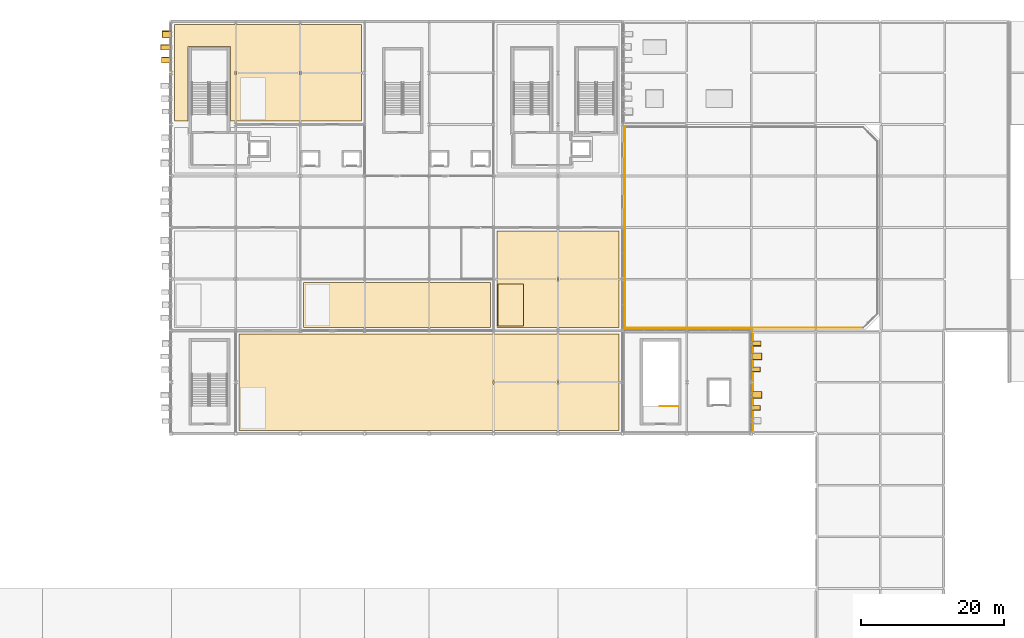
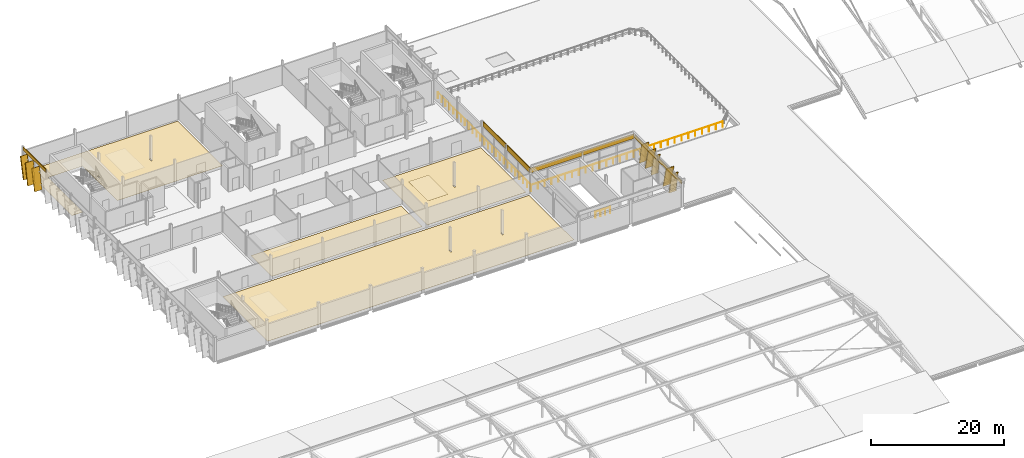
# One storey, part 75 of 78: 20 coverings, 8 shading devices, 3 railings.
"""IFC4 building model written with IfcOpenShell, lengths in metres."""

from ifc_helpers import new_model, si_unit, direction, frame, origin, origin_2d, place, context, subcontext, project, spatial, polyline, rectangle, circle, outline, extrude, material, layer, layer_set, material_profile, profile_set, type_object, element, save


model = new_model("IFC4")

# Units and contexts
model_context = context("Model", 3, precision=1e-05, world=origin(), true_north=direction((0.0, 1.0)))
body_context = subcontext(model_context, "Body", "Model", "MODEL_VIEW")
ifc_project = project(units=[si_unit("LENGTHUNIT", "METRE"), si_unit("AREAUNIT", "SQUARE_METRE"), si_unit("VOLUMEUNIT", "CUBIC_METRE"), si_unit("PLANEANGLEUNIT", "RADIAN"), si_unit("MASSUNIT", "GRAM", prefix="KILO")], contexts=[model_context])

# Site, building, storey
site_placement = place(None, origin())
site = spatial("IfcSite", under=ifc_project, at=site_placement, CompositionType="ELEMENT")
building_placement = place(site_placement, origin())
building = spatial("IfcBuilding", under=site, at=building_placement, Name="Celestram Park Convention Centre", CompositionType="ELEMENT")
storey_placement = place(building_placement, frame((0.0, 0.0, 19.800048828125)))
storey = spatial("IfcBuildingStorey", under=building, at=storey_placement, Name="L04", CompositionType="ELEMENT", Elevation=19.800048828125)

# Coverings
ifc_material_1 = material(Name="Anodised Bronze Aluminium Spandrel Cladding", Category="aluminium")
ifc_layer_1 = layer(ifc_material_1, 0.050048828125)
ifc_layer_set_1 = layer_set([ifc_layer_1], Name="Anodised Bronze Aluminium Spandrel Cladding")
covering_type_1 = type_object("IfcCoveringType", Name="ARC-COV-CLD060", PredefinedType="CLADDING", material=ifc_layer_set_1)
covering_1_placement = place(storey_placement, frame((117.080078125, 118.800048828125, 3.923828125), z_axis=(0.0, 0.0, 1.0), x_axis=(0.0, -1.0, 0.0)))
element("IfcCovering", 1, at=covering_1_placement, inside=storey, type_object=covering_type_1, Name="Bronze spandrel cladding CL-L04-227", PredefinedType="CLADDING", context=body_context, shape_type="SweptSolid", body=[
    extrude(rectangle(XDim=6.847900390625, YDim=0.1201171875, at=origin_2d()), origin(), (0.0, 0.0, 1.0), 0.575927734375),
])
covering_2_placement = place(storey_placement, frame((117.080078125, 111.60009765625, 3.923828125), z_axis=(0.0, 0.0, 1.0), x_axis=(0.0, -1.0, 0.0)))
element("IfcCovering", 2, at=covering_2_placement, inside=storey, type_object=covering_type_1, Name="Bronze spandrel cladding CL-L04-228", PredefinedType="CLADDING", context=body_context, shape_type="SweptSolid", body=[
    extrude(rectangle(XDim=6.825927734375, YDim=0.1201171875, at=origin_2d()), origin(), (0.0, 0.0, 1.0), 0.575927734375),
])
covering_3_placement = place(storey_placement, frame((35.919921875, 162.0, 3.923828125), z_axis=(0.0, 0.0, 1.0), x_axis=(0.0, 1.0, 0.0)))
element("IfcCovering", 3, at=covering_3_placement, inside=storey, type_object=covering_type_1, Name="Bronze spandrel cladding CL-L04-236", PredefinedType="CLADDING", context=body_context, shape_type="SweptSolid", body=[
    extrude(rectangle(XDim=6.8310546875, YDim=0.1201171875, at=origin_2d()), origin(), (0.0, 0.0, 1.0), 0.575927734375),
])
for number, where, z_axis, x_axis, name in (
    (4, (99.080078125, 133.199951171875, 3.60791015625), (0.0, 0.0, 1.0), (0.0, -1.0, 0.0), "Bronze spandrel cladding CL-L04-239"),
    (5, (99.080078125, 126.0, 3.60791015625), (0.0, 0.0, 1.0), (0.0, -1.0, 0.0), "Bronze spandrel cladding CL-L04-240"),
):
    element("IfcCovering", number, at=place(storey_placement, frame(where, z_axis=z_axis, x_axis=x_axis)), inside=storey, type_object=covering_type_1, Name=name, PredefinedType="CLADDING", context=body_context, shape_type="SweptSolid", body=[
        extrude(rectangle(XDim=6.847900390625, YDim=0.1201171875, at=origin_2d()), origin(), (0.0, 0.0, 1.0), 0.89208984375),
    ])
covering_4_placement = place(storey_placement, frame((103.5, 122.47998046875, 3.60791015625), z_axis=(0.0, 0.0, 1.0), x_axis=(1.0, 0.0, 0.0)))
element("IfcCovering", 6, at=covering_4_placement, inside=storey, type_object=covering_type_1, Name="Bronze spandrel cladding CL-L04-241", PredefinedType="CLADDING", context=body_context, shape_type="SweptSolid", body=[
    extrude(rectangle(XDim=8.989990234375, YDim=0.1201171875, at=origin_2d()), origin(), (0.0, 0.0, 1.0), 0.89208984375),
])
covering_5_placement = place(storey_placement, frame((112.5, 122.47998046875, 3.66796875), z_axis=(0.0, 0.0, 1.0), x_axis=(1.0, 0.0, 0.0)))
element("IfcCovering", 7, at=covering_5_placement, inside=storey, type_object=covering_type_1, Name="Bronze spandrel cladding CL-L04-242", PredefinedType="CLADDING", context=body_context, shape_type="SweptSolid", body=[
    extrude(rectangle(XDim=8.989990234375, YDim=0.1201171875, at=origin_2d()), origin(), (0.0, 0.0, 1.0), 0.83203125),
])
ifc_material_2 = material(Name="Perforated Acoustic Mineral-Fibre Baffle Ceiling", Category="gypsum")
ifc_layer_2 = layer(ifc_material_2, 0.0400390625)
ifc_layer_set_2 = layer_set([ifc_layer_2], Name="Perforated Acoustic Mineral-Fibre Baffle Ceiling")
covering_type_2 = type_object("IfcCoveringType", Name="ARC-COV-CLG040", PredefinedType="CEILING", material=ifc_layer_set_2)
covering_6_placement = place(storey_placement, frame((0.0, 0.0, 4.159912109375)))
element("IfcCovering", 8, at=covering_6_placement, inside=storey, type_object=covering_type_2, Name="Executive Conference Room 402 acoustic baffle ceiling", PredefinedType="CEILING", context=body_context, shape_type="SweptSolid", body=[
    extrude(outline(polyline([(81.64990234375, 123.050048828125), (85.14990234375, 123.050048828125), (85.14990234375, 128.949951171875), (81.64990234375, 128.949951171875), (81.64990234375, 123.050048828125)])), origin(), (0.0, 0.0, 1.0), 0.0400390625),
])
ifc_material_3 = material(Name="Timber-Toned Anodised Aluminium Alloy 6063-T6", Category="wood")
ifc_material_profile_1 = material_profile(ifc_material_3, rectangle(XDim=1.1201171875, YDim=0.090087890625, at=origin_2d()), Name="REED1120X90")
ifc_profile_set_1 = profile_set([ifc_material_profile_1], Name="Timber-Toned Anodised Aluminium Alloy 6063-T6")
covering_type_3 = type_object("IfcCoveringType", Name="ARC-COV-FIN1120", PredefinedType="CLADDING", material=ifc_profile_set_1)
for number, where, z_axis, x_axis, name in (
    (9, (117.639892578125, 117.311279296875, 0.030029296875), (0.0, -0.159873029239, 0.987137586419), (1.0, 0.0, 0.0), "Leaning timber-toned reed fin RFN-L04-0725"),
    (10, (117.639892578125, 111.92236328125, 0.030029296875), (0.0, -0.159873029239, 0.987137586419), (1.0, 0.0, 0.0), "Leaning timber-toned reed fin RFN-L04-0727"),
    (11, (35.360107421875, 163.348876953125, 0.057861328125), (0.0, 0.231722237908, 0.972781992257), (-1.0, 0.0, 0.0), "Leaning timber-toned reed fin RFN-L04-0752"),
):
    element("IfcCovering", number, at=place(storey_placement, frame(where, z_axis=z_axis, x_axis=x_axis)), inside=storey, type_object=covering_type_3, Name=name, PredefinedType="CLADDING", context=body_context, shape_type="SweptSolid", body=[
        extrude(rectangle(XDim=1.1201171875, YDim=0.090087890625, at=origin_2d()), origin(), (0.0, 0.0, 1.0), 3.89404296875),
    ])
ifc_material_profile_2 = material_profile(ifc_material_3, rectangle(XDim=1.280029296875, YDim=0.090087890625, at=origin_2d()), Name="REED1280X90")
ifc_profile_set_2 = profile_set([ifc_material_profile_2], Name="Timber-Toned Anodised Aluminium Alloy 6063-T6")
covering_type_4 = type_object("IfcCoveringType", Name="ARC-COV-FIN1280", PredefinedType="CLADDING", material=ifc_profile_set_2)
covering_7_placement = place(storey_placement, frame((117.719970703125, 120.931396484375, 0.033447265625), z_axis=(0.0, -0.170221839846, 0.985405766798), x_axis=(1.0, 0.0, 0.0)))
element("IfcCovering", 12, at=covering_7_placement, inside=storey, type_object=covering_type_4, Name="Leaning timber-toned reed fin RFN-L04-0723", PredefinedType="CLADDING", context=body_context, shape_type="SweptSolid", body=[
    extrude(rectangle(XDim=1.280029296875, YDim=0.090087890625, at=origin_2d()), origin(), (0.0, 0.0, 1.0), 3.89404296875),
])
covering_8_placement = place(storey_placement, frame((35.280029296875, 159.7919921875, 0.04833984375), z_axis=(0.0, 0.209601879855, 0.977786813145), x_axis=(-1.0, 0.0, 0.0)))
element("IfcCovering", 13, at=covering_8_placement, inside=storey, type_object=covering_type_4, Name="Leaning timber-toned reed fin RFN-L04-0750", PredefinedType="CLADDING", context=body_context, shape_type="SweptSolid", body=[
    extrude(rectangle(XDim=1.280029296875, YDim=0.090087890625, at=origin_2d()), origin(), (0.0, 0.0, 1.0), 3.893798828125),
])
ifc_material_profile_3 = material_profile(ifc_material_3, rectangle(XDim=1.419921875, YDim=0.090087890625, at=origin_2d()), Name="REED1420X90")
ifc_profile_set_3 = profile_set([ifc_material_profile_3], Name="Timber-Toned Anodised Aluminium Alloy 6063-T6")
covering_type_5 = type_object("IfcCoveringType", Name="ARC-COV-FIN1420", PredefinedType="CLADDING", material=ifc_profile_set_3)
for number, where, z_axis, x_axis, name in (
    (14, (117.7900390625, 119.264404296875, 0.06103515625), (0.0, -0.238491540505, 0.971144574771), (1.0, 0.0, 0.0), "Leaning timber-toned reed fin RFN-L04-0724"),
    (15, (117.7900390625, 113.87548828125, 0.06103515625), (0.0, -0.23855066814, 0.971130052429), (1.0, 0.0, 0.0), "Leaning timber-toned reed fin RFN-L04-0726"),
    (16, (35.2099609375, 161.6484375, 0.036865234375), (0.0, 0.180562402366, 0.983563530664), (-1.0, 0.0, 0.0), "Leaning timber-toned reed fin RFN-L04-0751"),
):
    element("IfcCovering", number, at=place(storey_placement, frame(where, z_axis=z_axis, x_axis=x_axis)), inside=storey, type_object=covering_type_5, Name=name, PredefinedType="CLADDING", context=body_context, shape_type="SweptSolid", body=[
        extrude(rectangle(XDim=1.419921875, YDim=0.090087890625, at=origin_2d()), origin(), (0.0, 0.0, 1.0), 3.89404296875),
    ])
ifc_material_4 = material(Name="Polished Lakefront Aggregate Terrazzo Flooring", Category="concrete")
ifc_layer_3 = layer(ifc_material_4, 0.02001953125)
ifc_layer_set_3 = layer_set([ifc_layer_3], Name="Polished Lakefront Aggregate Terrazzo Flooring")
covering_type_6 = type_object("IfcCoveringType", Name="ARC-COV-FLR020", PredefinedType="FLOORING", material=ifc_layer_set_3)
covering_9_placement = place(storey_placement, origin())
element("IfcCovering", 17, at=covering_9_placement, inside=storey, type_object=covering_type_6, Name="Summit VIP Briefing Room terrazzo flooring", PredefinedType="FLOORING", context=body_context, shape_type="SweptSolid", body=[
    extrude(outline(polyline([(98.550048828125, 121.949951171875), (98.550048828125, 108.449951171875), (45.449951171875, 108.449951171875), (45.449951171875, 121.949951171875), (98.550048828125, 121.949951171875)]), holes=[polyline([(80.9150390625, 114.944091796875), (81.0849609375, 114.944091796875), (81.0849609375, 115.4560546875), (80.9150390625, 115.4560546875), (80.9150390625, 114.944091796875)]), polyline([(89.9150390625, 114.944091796875), (90.0849609375, 114.944091796875), (90.0849609375, 115.4560546875), (89.9150390625, 115.4560546875), (89.9150390625, 114.944091796875)])]), origin(), (0.0, 0.0, 1.0), 0.02001953125),
])
covering_10_placement = place(storey_placement, origin())
element("IfcCovering", 18, at=covering_10_placement, inside=storey, type_object=covering_type_6, Name="Concourse Delegate Lounge L04 terrazzo flooring", PredefinedType="FLOORING", context=body_context, shape_type="SweptSolid", body=[
    extrude(outline(polyline([(80.550048828125, 129.14990234375), (80.550048828125, 122.85009765625), (54.449951171875, 122.85009765625), (54.449951171875, 129.14990234375), (80.550048828125, 129.14990234375)])), origin(), (0.0, 0.0, 1.0), 0.02001953125),
])
covering_11_placement = place(storey_placement, origin())
element("IfcCovering", 19, at=covering_11_placement, inside=storey, type_object=covering_type_6, Name="Executive Conference Room 402 terrazzo flooring", PredefinedType="FLOORING", context=body_context, shape_type="SweptSolid", body=[
    extrude(outline(polyline([(98.550048828125, 136.35009765625), (98.550048828125, 122.85009765625), (81.449951171875, 122.85009765625), (81.449951171875, 136.35009765625), (98.550048828125, 136.35009765625)]), holes=[polyline([(89.9150390625, 129.85595703125), (89.9150390625, 129.343994140625), (90.0849609375, 129.343994140625), (90.0849609375, 129.85595703125), (89.9150390625, 129.85595703125)])]), origin(), (0.0, 0.0, 1.0), 0.02001953125),
])
covering_12_placement = place(storey_placement, origin())
element("IfcCovering", 20, at=covering_12_placement, inside=storey, type_object=covering_type_6, Name="Show Administration Office West terrazzo flooring", PredefinedType="FLOORING", context=body_context, shape_type="SweptSolid", body=[
    extrude(outline(polyline([(62.550048828125, 165.14990234375), (62.550048828125, 151.64990234375), (44.300048828125, 151.64990234375), (44.300048828125, 162.10009765625), (38.340087890625, 162.10009765625), (38.340087890625, 151.64990234375), (36.449951171875, 151.64990234375), (36.449951171875, 165.14990234375), (62.550048828125, 165.14990234375)]), holes=[polyline([(44.913818359375, 158.135498046875), (45.086181640625, 158.135498046875), (45.086181640625, 158.66455078125), (44.913818359375, 158.66455078125), (44.913818359375, 158.135498046875)]), polyline([(53.913818359375, 158.135498046875), (54.086181640625, 158.135498046875), (54.086181640625, 158.66455078125), (53.913818359375, 158.66455078125), (53.913818359375, 158.135498046875)])]), origin(), (0.0, 0.0, 1.0), 0.02001953125),
])

# Shading devices
ifc_material_5 = material(Name="Anodised Bronze Aluminium Alloy 6063-T6", Category="aluminium")
ifc_material_profile_4 = material_profile(ifc_material_5, rectangle(XDim=1.280029296875, YDim=0.080078125, at=origin_2d()), Name="FIN1280X80")
ifc_profile_set_4 = profile_set([ifc_material_profile_4], Name="Anodised Bronze Aluminium Alloy 6063-T6")
shading_device_type = type_object("IfcShadingDeviceType", Name="ARC-FIN-BZ1280", PredefinedType="USERDEFINED", material=ifc_profile_set_4)
for number, where, z_axis, x_axis, name in (
    (21, (117.719970703125, 120.931396484375, 0.033447265625), (0.0, -0.170221839846, 0.985405766798), (1.0, 0.0, 0.0), "Expressive solar fin FN-L04-0723"),
    (22, (117.7900390625, 119.264404296875, 0.06103515625), (0.0, -0.238491540505, 0.971144574771), (1.0, 0.0, 0.0), "Expressive solar fin FN-L04-0724"),
    (23, (117.639892578125, 117.311279296875, 0.030029296875), (0.0, -0.159873029239, 0.987137586419), (1.0, 0.0, 0.0), "Expressive solar fin FN-L04-0725"),
    (24, (117.7900390625, 113.87548828125, 0.06103515625), (0.0, -0.23855066814, 0.971130052429), (1.0, 0.0, 0.0), "Expressive solar fin FN-L04-0726"),
    (25, (117.639892578125, 111.92236328125, 0.030029296875), (0.0, -0.159873029239, 0.987137586419), (1.0, 0.0, 0.0), "Expressive solar fin FN-L04-0727"),
):
    element("IfcShadingDevice", number, at=place(storey_placement, frame(where, z_axis=z_axis, x_axis=x_axis)), inside=storey, type_object=shading_device_type, Name=name, ObjectType="SOLAR_FIN", PredefinedType="USERDEFINED", context=body_context, shape_type="SweptSolid", body=[
        extrude(rectangle(XDim=1.280029296875, YDim=0.080078125, at=origin_2d()), origin(), (0.0, 0.0, 1.0), 3.89404296875),
    ])
shading_device_placement = place(storey_placement, frame((35.280029296875, 159.7919921875, 0.04833984375), z_axis=(0.0, 0.209601879855, 0.977786813145), x_axis=(-1.0, 0.0, 0.0)))
element("IfcShadingDevice", 26, at=shading_device_placement, inside=storey, type_object=shading_device_type, Name="Expressive solar fin FN-L04-0750", ObjectType="SOLAR_FIN", PredefinedType="USERDEFINED", context=body_context, shape_type="SweptSolid", body=[
    extrude(rectangle(XDim=1.280029296875, YDim=0.080078125, at=origin_2d()), origin(), (0.0, 0.0, 1.0), 3.893798828125),
])
for number, where, z_axis, x_axis, name in (
    (27, (35.2099609375, 161.6484375, 0.036865234375), (0.0, 0.180562402366, 0.983563530664), (-1.0, 0.0, 0.0), "Expressive solar fin FN-L04-0751"),
    (28, (35.360107421875, 163.348876953125, 0.057861328125), (0.0, 0.231722237908, 0.972781992257), (-1.0, 0.0, 0.0), "Expressive solar fin FN-L04-0752"),
):
    element("IfcShadingDevice", number, at=place(storey_placement, frame(where, z_axis=z_axis, x_axis=x_axis)), inside=storey, type_object=shading_device_type, Name=name, ObjectType="SOLAR_FIN", PredefinedType="USERDEFINED", context=body_context, shape_type="SweptSolid", body=[
        extrude(rectangle(XDim=1.280029296875, YDim=0.080078125, at=origin_2d()), origin(), (0.0, 0.0, 1.0), 3.89404296875),
    ])

# Railings
ifc_material_6 = material(Name="Stainless Steel AISI 316L & Laminated Glass", Category="steel")
ifc_layer_4 = layer(ifc_material_6, 0.06005859375)
ifc_layer_set_4 = layer_set([ifc_layer_4], Name="Stainless Steel AISI 316L & Laminated Glass")
railing_type = type_object("IfcRailingType", Name="ARC-RL-GRD1120", PredefinedType="GUARDRAIL", material=ifc_layer_set_4)
railing_1_placement = place(storey_placement, frame((99.39990234375, 122.800048828125, 0.0)))
element("IfcRailing", 29, at=railing_1_placement, inside=storey, type_object=railing_type, Name="Terrace perimeter safety guard RL-L04-TG007", PredefinedType="GUARDRAIL", context=body_context, shape_type="SweptSolid", body=[
    extrude(circle(Radius=0.02392578125, at=origin_2d()), frame((0.0, 0.0, 1.09619140625), z_axis=(0.0, 1.0, 0.0), x_axis=(-1.0, 0.0, 0.0)), (0.0, 0.0, 1.0), 28.0),
    extrude(circle(Radius=0.02099609375, at=origin_2d()), origin(), (0.0, 0.0, 1.0), 1.072021484375),
    extrude(circle(Radius=0.02099609375, at=origin_2d()), frame((0.0, 1.166748046875, 0.0)), (0.0, 0.0, 1.0), 1.072021484375),
    extrude(circle(Radius=0.02099609375, at=origin_2d()), frame((0.0, 2.333251953125, 0.0)), (0.0, 0.0, 1.0), 1.072021484375),
    extrude(circle(Radius=0.02099609375, at=origin_2d()), frame((0.0, 3.5, 0.0)), (0.0, 0.0, 1.0), 1.072021484375),
    extrude(circle(Radius=0.02099609375, at=origin_2d()), frame((0.0, 4.666748046875, 0.0)), (0.0, 0.0, 1.0), 1.072021484375),
    extrude(circle(Radius=0.02099609375, at=origin_2d()), frame((0.0, 5.833251953125, 0.0)), (0.0, 0.0, 1.0), 1.072021484375),
    extrude(circle(Radius=0.02099609375, at=origin_2d()), frame((0.0, 7.0, 0.0)), (0.0, 0.0, 1.0), 1.072021484375),
    extrude(circle(Radius=0.02099609375, at=origin_2d()), frame((0.0, 8.166748046875, 0.0)), (0.0, 0.0, 1.0), 1.072021484375),
    extrude(circle(Radius=0.02099609375, at=origin_2d()), frame((0.0, 9.333251953125, 0.0)), (0.0, 0.0, 1.0), 1.072021484375),
    extrude(circle(Radius=0.02099609375, at=origin_2d()), frame((0.0, 10.5, 0.0)), (0.0, 0.0, 1.0), 1.072021484375),
    extrude(circle(Radius=0.02099609375, at=origin_2d()), frame((0.0, 11.666748046875, 0.0)), (0.0, 0.0, 1.0), 1.072021484375),
    extrude(circle(Radius=0.02099609375, at=origin_2d()), frame((0.0, 12.833251953125, 0.0)), (0.0, 0.0, 1.0), 1.072021484375),
    extrude(circle(Radius=0.02099609375, at=origin_2d()), frame((0.0, 14.0, 0.0)), (0.0, 0.0, 1.0), 1.072021484375),
    extrude(circle(Radius=0.02099609375, at=origin_2d()), frame((0.0, 15.166748046875, 0.0)), (0.0, 0.0, 1.0), 1.072021484375),
    extrude(circle(Radius=0.02099609375, at=origin_2d()), frame((0.0, 16.333251953125, 0.0)), (0.0, 0.0, 1.0), 1.072021484375),
    extrude(circle(Radius=0.02099609375, at=origin_2d()), frame((0.0, 17.5, 0.0)), (0.0, 0.0, 1.0), 1.072021484375),
    extrude(circle(Radius=0.02099609375, at=origin_2d()), frame((0.0, 18.666748046875, 0.0)), (0.0, 0.0, 1.0), 1.072021484375),
    extrude(circle(Radius=0.02099609375, at=origin_2d()), frame((0.0, 19.833251953125, 0.0)), (0.0, 0.0, 1.0), 1.072021484375),
    extrude(circle(Radius=0.02099609375, at=origin_2d()), frame((0.0, 21.0, 0.0)), (0.0, 0.0, 1.0), 1.072021484375),
    extrude(circle(Radius=0.02099609375, at=origin_2d()), frame((0.0, 22.166748046875, 0.0)), (0.0, 0.0, 1.0), 1.072021484375),
    extrude(circle(Radius=0.02099609375, at=origin_2d()), frame((0.0, 23.333251953125, 0.0)), (0.0, 0.0, 1.0), 1.072021484375),
    extrude(circle(Radius=0.02099609375, at=origin_2d()), frame((0.0, 24.5, 0.0)), (0.0, 0.0, 1.0), 1.072021484375),
    extrude(circle(Radius=0.02099609375, at=origin_2d()), frame((0.0, 25.666748046875, 0.0)), (0.0, 0.0, 1.0), 1.072021484375),
    extrude(circle(Radius=0.02099609375, at=origin_2d()), frame((0.0, 26.833251953125, 0.0)), (0.0, 0.0, 1.0), 1.072021484375),
    extrude(circle(Radius=0.02099609375, at=origin_2d()), frame((0.0, 28.0, 0.0)), (0.0, 0.0, 1.0), 1.072021484375),
])
railing_2_placement = place(storey_placement, frame((132.63427734375, 122.800048828125, 0.0)))
element("IfcRailing", 30, at=railing_2_placement, inside=storey, type_object=railing_type, Name="Terrace perimeter safety guard RL-L04-TG012", PredefinedType="GUARDRAIL", context=body_context, shape_type="SweptSolid", body=[
    extrude(circle(Radius=0.02392578125, at=origin_2d()), frame((0.0, 0.0, 1.09619140625), z_axis=(-1.0, 0.0, 0.0), x_axis=(0.0, -1.0, 0.0)), (0.0, 0.0, 1.0), 33.234375),
    extrude(circle(Radius=0.02099609375, at=origin_2d()), origin(), (0.0, 0.0, 1.0), 1.072021484375),
    extrude(circle(Radius=0.02099609375, at=origin_2d()), frame((-1.18701171875, 0.0, 0.0)), (0.0, 0.0, 1.0), 1.072021484375),
    extrude(circle(Radius=0.02099609375, at=origin_2d()), frame((-2.373779296875, 0.0, 0.0)), (0.0, 0.0, 1.0), 1.072021484375),
    extrude(circle(Radius=0.02099609375, at=origin_2d()), frame((-3.560791015625, 0.0, 0.0)), (0.0, 0.0, 1.0), 1.072021484375),
    extrude(circle(Radius=0.02099609375, at=origin_2d()), frame((-4.747802734375, 0.0, 0.0)), (0.0, 0.0, 1.0), 1.072021484375),
    extrude(circle(Radius=0.02099609375, at=origin_2d()), frame((-5.934814453125, 0.0, 0.0)), (0.0, 0.0, 1.0), 1.072021484375),
    extrude(circle(Radius=0.02099609375, at=origin_2d()), frame((-7.12158203125, 0.0, 0.0)), (0.0, 0.0, 1.0), 1.072021484375),
    extrude(circle(Radius=0.02099609375, at=origin_2d()), frame((-8.30859375, 0.0, 0.0)), (0.0, 0.0, 1.0), 1.072021484375),
    extrude(circle(Radius=0.02099609375, at=origin_2d()), frame((-9.49560546875, 0.0, 0.0)), (0.0, 0.0, 1.0), 1.072021484375),
    extrude(circle(Radius=0.02099609375, at=origin_2d()), frame((-10.682373046875, 0.0, 0.0)), (0.0, 0.0, 1.0), 1.072021484375),
    extrude(circle(Radius=0.02099609375, at=origin_2d()), frame((-11.869384765625, 0.0, 0.0)), (0.0, 0.0, 1.0), 1.072021484375),
    extrude(circle(Radius=0.02099609375, at=origin_2d()), frame((-13.056396484375, 0.0, 0.0)), (0.0, 0.0, 1.0), 1.072021484375),
    extrude(circle(Radius=0.02099609375, at=origin_2d()), frame((-14.243408203125, 0.0, 0.0)), (0.0, 0.0, 1.0), 1.072021484375),
    extrude(circle(Radius=0.02099609375, at=origin_2d()), frame((-15.43017578125, 0.0, 0.0)), (0.0, 0.0, 1.0), 1.072021484375),
    extrude(circle(Radius=0.02099609375, at=origin_2d()), frame((-16.6171875, 0.0, 0.0)), (0.0, 0.0, 1.0), 1.072021484375),
    extrude(circle(Radius=0.02099609375, at=origin_2d()), frame((-17.80419921875, 0.0, 0.0)), (0.0, 0.0, 1.0), 1.072021484375),
    extrude(circle(Radius=0.02099609375, at=origin_2d()), frame((-18.990966796875, 0.0, 0.0)), (0.0, 0.0, 1.0), 1.072021484375),
    extrude(circle(Radius=0.02099609375, at=origin_2d()), frame((-20.177978515625, 0.0, 0.0)), (0.0, 0.0, 1.0), 1.072021484375),
    extrude(circle(Radius=0.02099609375, at=origin_2d()), frame((-21.364990234375, 0.0, 0.0)), (0.0, 0.0, 1.0), 1.072021484375),
    extrude(circle(Radius=0.02099609375, at=origin_2d()), frame((-22.552001953125, 0.0, 0.0)), (0.0, 0.0, 1.0), 1.072021484375),
    extrude(circle(Radius=0.02099609375, at=origin_2d()), frame((-23.73876953125, 0.0, 0.0)), (0.0, 0.0, 1.0), 1.072021484375),
    extrude(circle(Radius=0.02099609375, at=origin_2d()), frame((-24.92578125, 0.0, 0.0)), (0.0, 0.0, 1.0), 1.072021484375),
    extrude(circle(Radius=0.02099609375, at=origin_2d()), frame((-26.11279296875, 0.0, 0.0)), (0.0, 0.0, 1.0), 1.072021484375),
    extrude(circle(Radius=0.02099609375, at=origin_2d()), frame((-27.299560546875, 0.0, 0.0)), (0.0, 0.0, 1.0), 1.072021484375),
    extrude(circle(Radius=0.02099609375, at=origin_2d()), frame((-28.486572265625, 0.0, 0.0)), (0.0, 0.0, 1.0), 1.072021484375),
    extrude(circle(Radius=0.02099609375, at=origin_2d()), frame((-29.673583984375, 0.0, 0.0)), (0.0, 0.0, 1.0), 1.072021484375),
    extrude(circle(Radius=0.02099609375, at=origin_2d()), frame((-30.860595703125, 0.0, 0.0)), (0.0, 0.0, 1.0), 1.072021484375),
    extrude(circle(Radius=0.02099609375, at=origin_2d()), frame((-32.04736328125, 0.0, 0.0)), (0.0, 0.0, 1.0), 1.072021484375),
    extrude(circle(Radius=0.02099609375, at=origin_2d()), frame((-33.234375, 0.0, 0.0)), (0.0, 0.0, 1.0), 1.072021484375),
])
railing_3_placement = place(storey_placement, frame((106.800048828125, 111.85009765625, 0.0)))
element("IfcRailing", 31, at=railing_3_placement, inside=storey, type_object=railing_type, Name="L04 ST-03 top well guard 1", PredefinedType="GUARDRAIL", context=body_context, shape_type="SweptSolid", body=[
    extrude(circle(Radius=0.02392578125, at=origin_2d()), frame((0.0, 0.0, 1.09619140625), z_axis=(-1.0, 0.0, 0.0), x_axis=(0.0, -1.0, 0.0)), (0.0, 0.0, 1.0), 2.56005859375),
    extrude(circle(Radius=0.02099609375, at=origin_2d()), origin(), (0.0, 0.0, 1.0), 1.072021484375),
    extrude(circle(Radius=0.02099609375, at=origin_2d()), frame((-0.853271484375, 0.0, 0.0)), (0.0, 0.0, 1.0), 1.072021484375),
    extrude(circle(Radius=0.02099609375, at=origin_2d()), frame((-1.706787109375, 0.0, 0.0)), (0.0, 0.0, 1.0), 1.072021484375),
    extrude(circle(Radius=0.02099609375, at=origin_2d()), frame((-2.56005859375, 0.0, 0.0)), (0.0, 0.0, 1.0), 1.072021484375),
])

save(model, "model.ifc")
